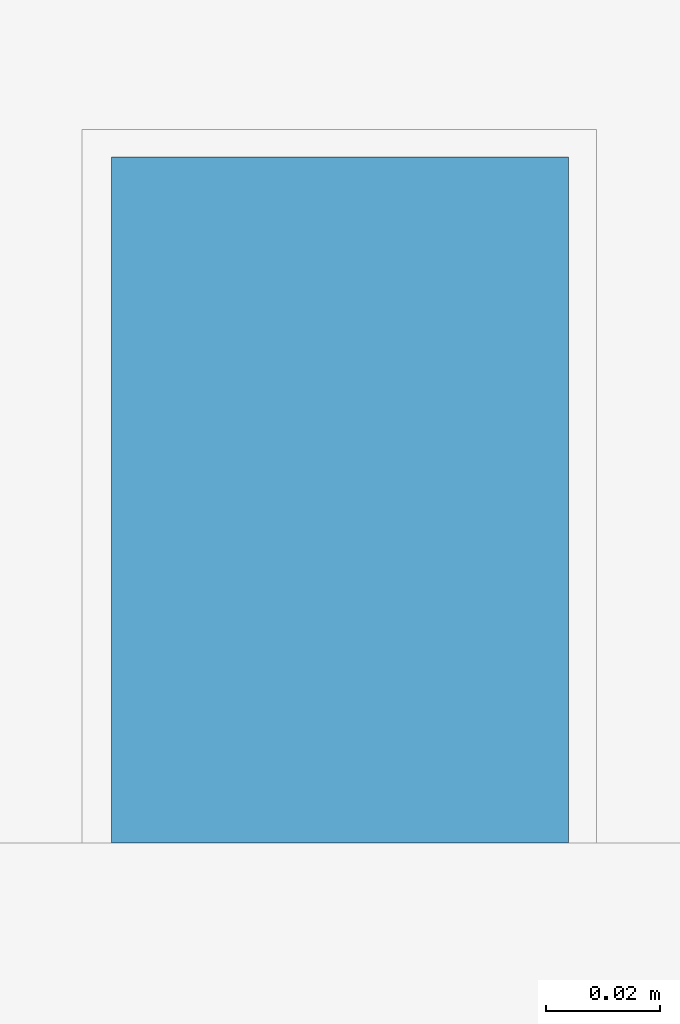
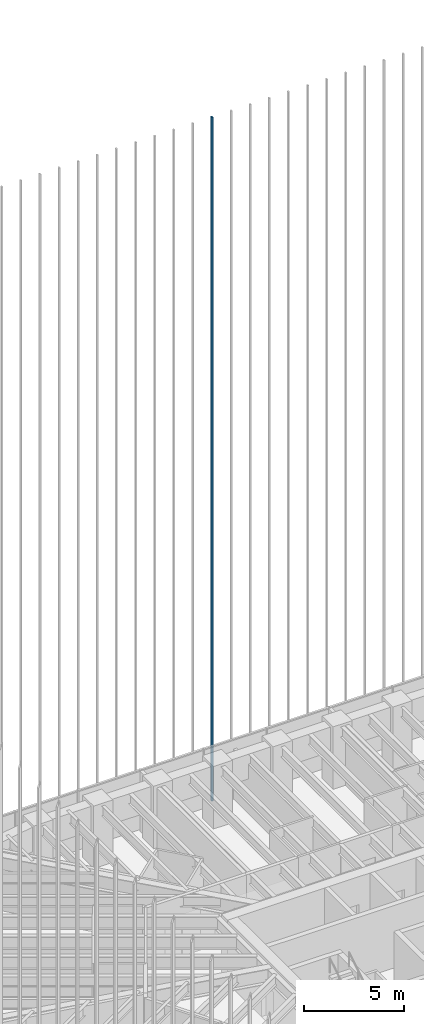
# One storey, part 85 of 127: 1 member, 1 element without a shape of its own.
"""IFC4 building model written with IfcOpenShell, lengths in metres."""

from ifc_helpers import new_model, si_unit, direction, frame, origin, origin_2d, place, context, subcontext, project, spatial, rectangle, extrude, material, material_profile, profile_set, type_object, element, aggregate, save


model = new_model("IFC4")

# Units and contexts
model_context = context("Model", 3, precision=1e-05, world=origin(), true_north=direction((0.0, 1.0)))
body_context = subcontext(model_context, "Body", "Model", "MODEL_VIEW")
ifc_project = project(units=[si_unit("LENGTHUNIT", "METRE"), si_unit("AREAUNIT", "SQUARE_METRE"), si_unit("VOLUMEUNIT", "CUBIC_METRE"), si_unit("PLANEANGLEUNIT", "RADIAN"), si_unit("MASSUNIT", "GRAM", prefix="KILO")], contexts=[model_context])

# Site, building, storey
site_placement = place(None, origin())
site = spatial("IfcSite", under=ifc_project, at=site_placement, CompositionType="ELEMENT")
building_placement = place(site_placement, origin())
building = spatial("IfcBuilding", under=site, at=building_placement, Name="Sandreach Pilgrim Tower", CompositionType="ELEMENT")
storey_placement = place(building_placement, frame((0.0, 0.0, 257.0)))
storey = spatial("IfcBuildingStorey", under=building, at=storey_placement, Name="L64", CompositionType="ELEMENT", Elevation=257.0)

# Curtain wall, member
ifc_material_1 = material(Name="Aluminium framed curtain wall", Category="aluminium")
curtain_wall_type = type_object("IfcCurtainWallType", Name="Suite tower curtain wall", PredefinedType="NOTDEFINED", material=ifc_material_1)
curtain_wall_placement = place(storey_placement, origin())
curtain_wall = element("IfcCurtainWall", 1, at=curtain_wall_placement, inside=storey, type_object=curtain_wall_type, Name="CW-4 L64 N", PredefinedType="NOTDEFINED")
ifc_material_2 = material(Name="Extruded terracotta on aluminium core", Category="masonry")
ifc_material_profile = material_profile(ifc_material_2, rectangle(XDim=0.080078125, YDim=0.1201171875, at=origin_2d()), Name="TBN 80X120")
ifc_profile_set = profile_set([ifc_material_profile], Name="Extruded terracotta on aluminium core")
member_type = type_object("IfcMemberType", Name="Terracotta baguette north", PredefinedType="USERDEFINED", material=ifc_profile_set)
member_placement = place(storey_placement, frame((-1.100341796875, 20.1865234375, 0.0), z_axis=(0.0, 0.0, 1.0), x_axis=(1.0, 0.0, 0.0)))
member = element("IfcMember", 2, at=member_placement, type_object=member_type, Name="Baguette Z4 N14", ObjectType="BAGUETTE", PredefinedType="USERDEFINED", context=body_context, shape_type="SweptSolid", body=[
    extrude(rectangle(XDim=0.080078125, YDim=0.1201171875, at=origin_2d()), origin(), (0.0, 0.0, 1.0), 41.639892578125),
])
aggregate(curtain_wall, [member])

save(model, "model.ifc")
